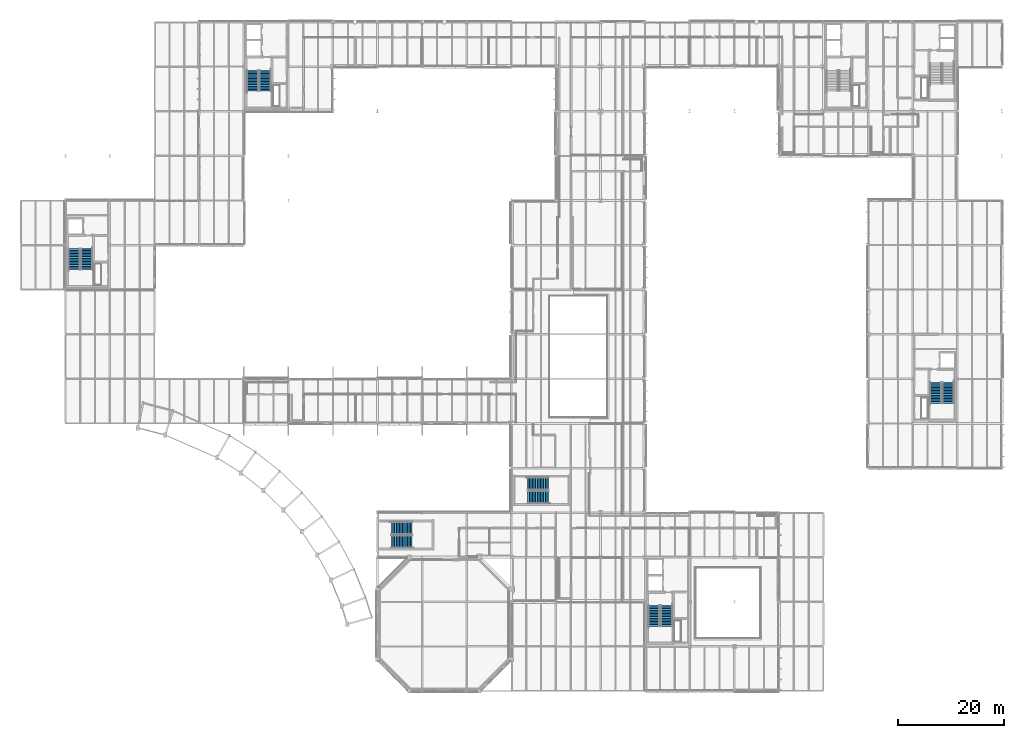
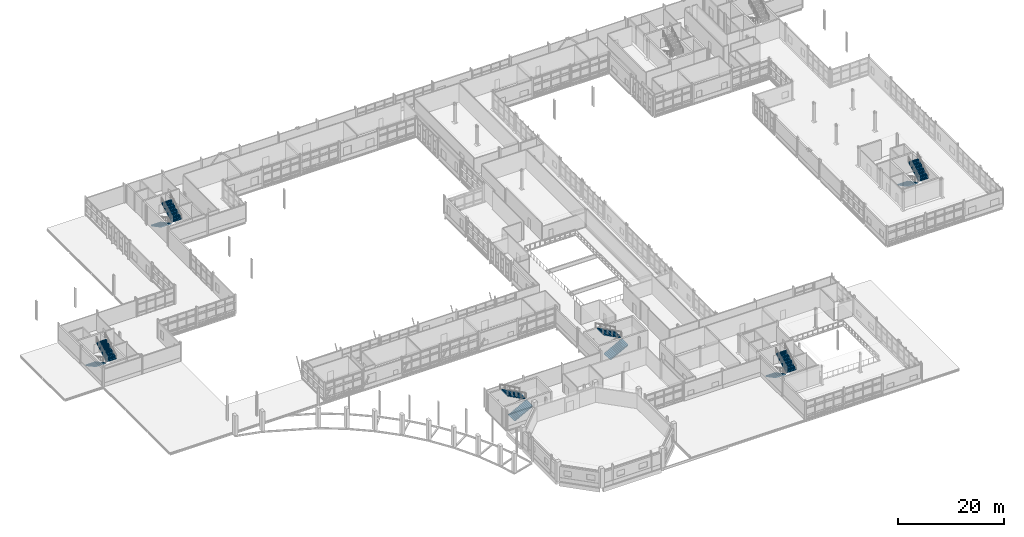
# One storey, part 105 of 129: 12 stair flights, 6 elements without a shape of their own.
"""IFC4 building model written with IfcOpenShell, lengths in metres."""

from ifc_helpers import new_model, si_unit, direction, frame, origin, place, context, subcontext, project, spatial, polyline, outline, extrude, material, type_object, element, aggregate, save


model = new_model("IFC4")

# Units and contexts
model_context = context("Model", 3, precision=1e-05, world=origin(), true_north=direction((0.0, 1.0)))
body_context = subcontext(model_context, "Body", "Model", "MODEL_VIEW")
ifc_project = project(units=[si_unit("LENGTHUNIT", "METRE"), si_unit("AREAUNIT", "SQUARE_METRE"), si_unit("VOLUMEUNIT", "CUBIC_METRE"), si_unit("PLANEANGLEUNIT", "RADIAN"), si_unit("MASSUNIT", "GRAM", prefix="KILO")], contexts=[model_context])

# Site, building, storey
site_placement = place(None, origin())
site = spatial("IfcSite", under=ifc_project, at=site_placement, CompositionType="ELEMENT")
building_placement = place(site_placement, origin())
building = spatial("IfcBuilding", under=site, at=building_placement, Name="Mersafa Astral City Hall", CompositionType="ELEMENT")
storey_placement = place(building_placement, frame((0.0, 0.0, 5.39990234375)))
storey = spatial("IfcBuildingStorey", under=building, at=storey_placement, Name="L01", CompositionType="ELEMENT", Elevation=5.39990234375)

# Stair, stair flights
ifc_material = material(Name="Concrete C40/50", Category="concrete")
stair_type = type_object("IfcStairType", Name="STAIR", PredefinedType="HALF_TURN_STAIR", material=ifc_material)
stair_1_placement = place(storey_placement, origin())
stair_1 = element("IfcStair", 1, at=stair_1_placement, inside=storey, type_object=stair_type, Name="L01 Protected Exit Stair ST3", PredefinedType="HALF_TURN_STAIR")
stair_flight_type = type_object("IfcStairFlightType", Name="STAIR-FLIGHT", PredefinedType="STRAIGHT", material=ifc_material)
stair_flight_1_placement = place(storey_placement, frame((43.679931640625, 116.89990234375, 0.0), z_axis=(0.0, 0.0, 1.0), x_axis=(0.0, -1.0, 0.0)))
stair_flight_1 = element("IfcStairFlight", 2, at=stair_flight_1_placement, type_object=stair_flight_type, Name="ST3 flight 1", NumberOfRisers=14, NumberOfTreads=13, PredefinedType="STRAIGHT", RiserHeight=0.160714286, TreadLength=0.3, context=body_context, shape_type="SweptSolid", body=[
    extrude(outline(polyline([(-0.008056640625, -0.02197265625), (-0.008056640625, -0.010498046875), (-0.008056640625, 0.000732421875), (-0.008056640625, 0.01220703125), (-0.008056640625, 0.023681640625), (-0.008056640625, 0.03515625), (-0.008056640625, 0.046630859375), (-0.008056640625, 0.057861328125), (-0.008056640625, 0.0693359375), (-0.008056640625, 0.080810546875), (-0.008056640625, 0.09228515625), (-0.008056640625, 0.103515625), (-0.008056640625, 0.114990234375), (-0.008056640625, 0.12646484375), (-0.008056640625, 0.137939453125), (-0.008056640625, 0.1494140625), (-0.008056640625, 0.16064453125), (0.300048828125, 0.16064453125), (0.300048828125, 0.321533203125), (0.60009765625, 0.321533203125), (0.60009765625, 0.482177734375), (0.89990234375, 0.482177734375), (0.89990234375, 0.642822265625), (1.199951171875, 0.642822265625), (1.199951171875, 0.803466796875), (1.5, 0.803466796875), (1.5, 0.96435546875), (1.800048828125, 0.96435546875), (1.800048828125, 1.125), (2.10009765625, 1.125), (2.10009765625, 1.28564453125), (2.39990234375, 1.28564453125), (2.39990234375, 1.446533203125), (2.699951171875, 1.446533203125), (2.699951171875, 1.607177734375), (3.0, 1.607177734375), (3.0, 1.767822265625), (3.300048828125, 1.767822265625), (3.300048828125, 1.928466796875), (3.60009765625, 1.928466796875), (3.60009765625, 2.08935546875), (3.89990234375, 2.08935546875), (3.89990234375, 2.25), (3.907958984375, 2.25), (3.907958984375, 2.229248046875), (3.907958984375, 2.208740234375), (3.907958984375, 2.18798828125), (3.907958984375, 2.167236328125), (3.907958984375, 2.146728515625), (3.907958984375, 2.1259765625), (3.907958984375, 2.105224609375), (3.907958984375, 2.084716796875), (3.907958984375, 2.06396484375), (3.907958984375, 2.043212890625), (3.907958984375, 2.022705078125), (3.907958984375, 2.001953125), (3.907958984375, 1.981201171875), (3.907958984375, 1.960693359375), (3.907958984375, 1.93994140625), (3.907958984375, 1.919189453125), (0.2763671875, -0.02197265625), (-0.008056640625, -0.02197265625)])), frame((0.0, 1.10009765625, 0.0), z_axis=(0.0, -1.0, 0.0), x_axis=(1.0, 0.0, 0.0)), (0.0, 0.0, 1.0), 2.199951171875),
])
stair_flight_2_placement = place(storey_placement, frame((46.0400390625, 113.0, 2.25), z_axis=(0.0, 0.0, 1.0), x_axis=(0.0, 1.0, 0.0)))
stair_flight_2 = element("IfcStairFlight", 3, at=stair_flight_2_placement, type_object=stair_flight_type, Name="ST3 flight 2", NumberOfRisers=14, NumberOfTreads=13, PredefinedType="STRAIGHT", RiserHeight=0.160714286, TreadLength=0.3, context=body_context, shape_type="SweptSolid", body=[
    extrude(outline(polyline([(-0.008056640625, -0.02197265625), (-0.008056640625, -0.010498046875), (-0.008056640625, 0.000732421875), (-0.008056640625, 0.01220703125), (-0.008056640625, 0.023681640625), (-0.008056640625, 0.03515625), (-0.008056640625, 0.046630859375), (-0.008056640625, 0.057861328125), (-0.008056640625, 0.0693359375), (-0.008056640625, 0.080810546875), (-0.008056640625, 0.09228515625), (-0.008056640625, 0.103515625), (-0.008056640625, 0.114990234375), (-0.008056640625, 0.12646484375), (-0.008056640625, 0.137939453125), (-0.008056640625, 0.1494140625), (-0.008056640625, 0.16064453125), (0.300048828125, 0.16064453125), (0.300048828125, 0.321533203125), (0.60009765625, 0.321533203125), (0.60009765625, 0.482177734375), (0.89990234375, 0.482177734375), (0.89990234375, 0.642822265625), (1.199951171875, 0.642822265625), (1.199951171875, 0.803466796875), (1.5, 0.803466796875), (1.5, 0.96435546875), (1.800048828125, 0.96435546875), (1.800048828125, 1.125), (2.10009765625, 1.125), (2.10009765625, 1.28564453125), (2.39990234375, 1.28564453125), (2.39990234375, 1.446533203125), (2.699951171875, 1.446533203125), (2.699951171875, 1.607177734375), (3.0, 1.607177734375), (3.0, 1.767822265625), (3.300048828125, 1.767822265625), (3.300048828125, 1.928466796875), (3.60009765625, 1.928466796875), (3.60009765625, 2.08935546875), (3.89990234375, 2.08935546875), (3.89990234375, 2.25), (3.907958984375, 2.25), (3.907958984375, 2.229248046875), (3.907958984375, 2.208740234375), (3.907958984375, 2.18798828125), (3.907958984375, 2.167236328125), (3.907958984375, 2.146728515625), (3.907958984375, 2.1259765625), (3.907958984375, 2.105224609375), (3.907958984375, 2.084716796875), (3.907958984375, 2.06396484375), (3.907958984375, 2.043212890625), (3.907958984375, 2.022705078125), (3.907958984375, 2.001953125), (3.907958984375, 1.981201171875), (3.907958984375, 1.960693359375), (3.907958984375, 1.93994140625), (3.907958984375, 1.919189453125), (0.2763671875, -0.02197265625), (-0.008056640625, -0.02197265625)])), frame((0.0, 1.10009765625, 0.0), z_axis=(0.0, -1.0, 0.0), x_axis=(1.0, 0.0, 0.0)), (0.0, 0.0, 1.0), 2.199951171875),
])
aggregate(stair_1, [stair_flight_1, stair_flight_2])

stair_2_placement = place(storey_placement, origin())
stair_2 = element("IfcStair", 4, at=stair_2_placement, inside=storey, type_object=stair_type, Name="L01 Protected Exit Stair ST4", PredefinedType="HALF_TURN_STAIR")
stair_flight_3_placement = place(storey_placement, frame((172.360107421875, 58.10009765625, 0.0), z_axis=(0.0, 0.0, 1.0), x_axis=(0.0, -1.0, 0.0)))
stair_flight_3 = element("IfcStairFlight", 5, at=stair_flight_3_placement, type_object=stair_flight_type, Name="ST4 flight 1", NumberOfRisers=14, NumberOfTreads=13, PredefinedType="STRAIGHT", RiserHeight=0.160714286, TreadLength=0.3, context=body_context, shape_type="SweptSolid", body=[
    extrude(outline(polyline([(-0.008056640625, -0.02197265625), (-0.008056640625, -0.010498046875), (-0.008056640625, 0.000732421875), (-0.008056640625, 0.01220703125), (-0.008056640625, 0.023681640625), (-0.008056640625, 0.03515625), (-0.008056640625, 0.046630859375), (-0.008056640625, 0.057861328125), (-0.008056640625, 0.0693359375), (-0.008056640625, 0.080810546875), (-0.008056640625, 0.09228515625), (-0.008056640625, 0.103515625), (-0.008056640625, 0.114990234375), (-0.008056640625, 0.12646484375), (-0.008056640625, 0.137939453125), (-0.008056640625, 0.1494140625), (-0.008056640625, 0.16064453125), (0.300048828125, 0.16064453125), (0.300048828125, 0.321533203125), (0.60009765625, 0.321533203125), (0.60009765625, 0.482177734375), (0.89990234375, 0.482177734375), (0.89990234375, 0.642822265625), (1.199951171875, 0.642822265625), (1.199951171875, 0.803466796875), (1.5, 0.803466796875), (1.5, 0.96435546875), (1.800048828125, 0.96435546875), (1.800048828125, 1.125), (2.10009765625, 1.125), (2.10009765625, 1.28564453125), (2.39990234375, 1.28564453125), (2.39990234375, 1.446533203125), (2.699951171875, 1.446533203125), (2.699951171875, 1.607177734375), (3.0, 1.607177734375), (3.0, 1.767822265625), (3.300048828125, 1.767822265625), (3.300048828125, 1.928466796875), (3.60009765625, 1.928466796875), (3.60009765625, 2.08935546875), (3.89990234375, 2.08935546875), (3.89990234375, 2.25), (3.907958984375, 2.25), (3.907958984375, 2.229248046875), (3.907958984375, 2.208740234375), (3.907958984375, 2.18798828125), (3.907958984375, 2.167236328125), (3.907958984375, 2.146728515625), (3.907958984375, 2.1259765625), (3.907958984375, 2.105224609375), (3.907958984375, 2.084716796875), (3.907958984375, 2.06396484375), (3.907958984375, 2.043212890625), (3.907958984375, 2.022705078125), (3.907958984375, 2.001953125), (3.907958984375, 1.981201171875), (3.907958984375, 1.960693359375), (3.907958984375, 1.93994140625), (3.907958984375, 1.919189453125), (0.2763671875, -0.02197265625), (-0.008056640625, -0.02197265625)])), frame((0.0, 1.10009765625, 0.0), z_axis=(0.0, -1.0, 0.0), x_axis=(1.0, 0.0, 0.0)), (0.0, 0.0, 1.0), 2.199951171875),
])
stair_flight_4_placement = place(storey_placement, frame((174.719970703125, 54.199951171875, 2.25), z_axis=(0.0, 0.0, 1.0), x_axis=(0.0, 1.0, 0.0)))
stair_flight_4 = element("IfcStairFlight", 6, at=stair_flight_4_placement, type_object=stair_flight_type, Name="ST4 flight 2", NumberOfRisers=14, NumberOfTreads=13, PredefinedType="STRAIGHT", RiserHeight=0.160714286, TreadLength=0.3, context=body_context, shape_type="SweptSolid", body=[
    extrude(outline(polyline([(-0.008056640625, -0.02197265625), (-0.008056640625, -0.010498046875), (-0.008056640625, 0.000732421875), (-0.008056640625, 0.01220703125), (-0.008056640625, 0.023681640625), (-0.008056640625, 0.03515625), (-0.008056640625, 0.046630859375), (-0.008056640625, 0.057861328125), (-0.008056640625, 0.0693359375), (-0.008056640625, 0.080810546875), (-0.008056640625, 0.09228515625), (-0.008056640625, 0.103515625), (-0.008056640625, 0.114990234375), (-0.008056640625, 0.12646484375), (-0.008056640625, 0.137939453125), (-0.008056640625, 0.1494140625), (-0.008056640625, 0.16064453125), (0.300048828125, 0.16064453125), (0.300048828125, 0.321533203125), (0.60009765625, 0.321533203125), (0.60009765625, 0.482177734375), (0.89990234375, 0.482177734375), (0.89990234375, 0.642822265625), (1.199951171875, 0.642822265625), (1.199951171875, 0.803466796875), (1.5, 0.803466796875), (1.5, 0.96435546875), (1.800048828125, 0.96435546875), (1.800048828125, 1.125), (2.10009765625, 1.125), (2.10009765625, 1.28564453125), (2.39990234375, 1.28564453125), (2.39990234375, 1.446533203125), (2.699951171875, 1.446533203125), (2.699951171875, 1.607177734375), (3.0, 1.607177734375), (3.0, 1.767822265625), (3.300048828125, 1.767822265625), (3.300048828125, 1.928466796875), (3.60009765625, 1.928466796875), (3.60009765625, 2.08935546875), (3.89990234375, 2.08935546875), (3.89990234375, 2.25), (3.907958984375, 2.25), (3.907958984375, 2.229248046875), (3.907958984375, 2.208740234375), (3.907958984375, 2.18798828125), (3.907958984375, 2.167236328125), (3.907958984375, 2.146728515625), (3.907958984375, 2.1259765625), (3.907958984375, 2.105224609375), (3.907958984375, 2.084716796875), (3.907958984375, 2.06396484375), (3.907958984375, 2.043212890625), (3.907958984375, 2.022705078125), (3.907958984375, 2.001953125), (3.907958984375, 1.981201171875), (3.907958984375, 1.960693359375), (3.907958984375, 1.93994140625), (3.907958984375, 1.919189453125), (0.2763671875, -0.02197265625), (-0.008056640625, -0.02197265625)])), frame((0.0, 1.10009765625, 0.0), z_axis=(0.0, -1.0, 0.0), x_axis=(1.0, 0.0, 0.0)), (0.0, 0.0, 1.0), 2.199951171875),
])
aggregate(stair_2, [stair_flight_3, stair_flight_4])

stair_3_placement = place(storey_placement, origin())
stair_3 = element("IfcStair", 7, at=stair_3_placement, inside=storey, type_object=stair_type, Name="L01 Protected Exit Stair ST5", PredefinedType="HALF_TURN_STAIR")
stair_flight_5_placement = place(storey_placement, frame((119.280029296875, 16.10009765625, 0.0), z_axis=(0.0, 0.0, 1.0), x_axis=(0.0, -1.0, 0.0)))
stair_flight_5 = element("IfcStairFlight", 8, at=stair_flight_5_placement, type_object=stair_flight_type, Name="ST5 flight 1", NumberOfRisers=14, NumberOfTreads=13, PredefinedType="STRAIGHT", RiserHeight=0.160714286, TreadLength=0.3, context=body_context, shape_type="SweptSolid", body=[
    extrude(outline(polyline([(-0.008056640625, -0.02197265625), (-0.008056640625, -0.010498046875), (-0.008056640625, 0.000732421875), (-0.008056640625, 0.01220703125), (-0.008056640625, 0.023681640625), (-0.008056640625, 0.03515625), (-0.008056640625, 0.046630859375), (-0.008056640625, 0.057861328125), (-0.008056640625, 0.0693359375), (-0.008056640625, 0.080810546875), (-0.008056640625, 0.09228515625), (-0.008056640625, 0.103515625), (-0.008056640625, 0.114990234375), (-0.008056640625, 0.12646484375), (-0.008056640625, 0.137939453125), (-0.008056640625, 0.1494140625), (-0.008056640625, 0.16064453125), (0.300048828125, 0.16064453125), (0.300048828125, 0.321533203125), (0.60009765625, 0.321533203125), (0.60009765625, 0.482177734375), (0.89990234375, 0.482177734375), (0.89990234375, 0.642822265625), (1.199951171875, 0.642822265625), (1.199951171875, 0.803466796875), (1.5, 0.803466796875), (1.5, 0.96435546875), (1.800048828125, 0.96435546875), (1.800048828125, 1.125), (2.10009765625, 1.125), (2.10009765625, 1.28564453125), (2.39990234375, 1.28564453125), (2.39990234375, 1.446533203125), (2.699951171875, 1.446533203125), (2.699951171875, 1.607177734375), (3.0, 1.607177734375), (3.0, 1.767822265625), (3.300048828125, 1.767822265625), (3.300048828125, 1.928466796875), (3.60009765625, 1.928466796875), (3.60009765625, 2.08935546875), (3.89990234375, 2.08935546875), (3.89990234375, 2.25), (3.907958984375, 2.25), (3.907958984375, 2.229248046875), (3.907958984375, 2.208740234375), (3.907958984375, 2.18798828125), (3.907958984375, 2.167236328125), (3.907958984375, 2.146728515625), (3.907958984375, 2.1259765625), (3.907958984375, 2.105224609375), (3.907958984375, 2.084716796875), (3.907958984375, 2.06396484375), (3.907958984375, 2.043212890625), (3.907958984375, 2.022705078125), (3.907958984375, 2.001953125), (3.907958984375, 1.981201171875), (3.907958984375, 1.960693359375), (3.907958984375, 1.93994140625), (3.907958984375, 1.919189453125), (0.2763671875, -0.02197265625), (-0.008056640625, -0.02197265625)])), frame((0.0, 1.10009765625, 0.0), z_axis=(0.0, -1.0, 0.0), x_axis=(1.0, 0.0, 0.0)), (0.0, 0.0, 1.0), 2.199951171875),
])
stair_flight_6_placement = place(storey_placement, frame((121.639892578125, 12.199951171875, 2.25), z_axis=(0.0, 0.0, 1.0), x_axis=(0.0, 1.0, 0.0)))
stair_flight_6 = element("IfcStairFlight", 9, at=stair_flight_6_placement, type_object=stair_flight_type, Name="ST5 flight 2", NumberOfRisers=14, NumberOfTreads=13, PredefinedType="STRAIGHT", RiserHeight=0.160714286, TreadLength=0.3, context=body_context, shape_type="SweptSolid", body=[
    extrude(outline(polyline([(-0.008056640625, -0.02197265625), (-0.008056640625, -0.010498046875), (-0.008056640625, 0.000732421875), (-0.008056640625, 0.01220703125), (-0.008056640625, 0.023681640625), (-0.008056640625, 0.03515625), (-0.008056640625, 0.046630859375), (-0.008056640625, 0.057861328125), (-0.008056640625, 0.0693359375), (-0.008056640625, 0.080810546875), (-0.008056640625, 0.09228515625), (-0.008056640625, 0.103515625), (-0.008056640625, 0.114990234375), (-0.008056640625, 0.12646484375), (-0.008056640625, 0.137939453125), (-0.008056640625, 0.1494140625), (-0.008056640625, 0.16064453125), (0.300048828125, 0.16064453125), (0.300048828125, 0.321533203125), (0.60009765625, 0.321533203125), (0.60009765625, 0.482177734375), (0.89990234375, 0.482177734375), (0.89990234375, 0.642822265625), (1.199951171875, 0.642822265625), (1.199951171875, 0.803466796875), (1.5, 0.803466796875), (1.5, 0.96435546875), (1.800048828125, 0.96435546875), (1.800048828125, 1.125), (2.10009765625, 1.125), (2.10009765625, 1.28564453125), (2.39990234375, 1.28564453125), (2.39990234375, 1.446533203125), (2.699951171875, 1.446533203125), (2.699951171875, 1.607177734375), (3.0, 1.607177734375), (3.0, 1.767822265625), (3.300048828125, 1.767822265625), (3.300048828125, 1.928466796875), (3.60009765625, 1.928466796875), (3.60009765625, 2.08935546875), (3.89990234375, 2.08935546875), (3.89990234375, 2.25), (3.907958984375, 2.25), (3.907958984375, 2.229248046875), (3.907958984375, 2.208740234375), (3.907958984375, 2.18798828125), (3.907958984375, 2.167236328125), (3.907958984375, 2.146728515625), (3.907958984375, 2.1259765625), (3.907958984375, 2.105224609375), (3.907958984375, 2.084716796875), (3.907958984375, 2.06396484375), (3.907958984375, 2.043212890625), (3.907958984375, 2.022705078125), (3.907958984375, 2.001953125), (3.907958984375, 1.981201171875), (3.907958984375, 1.960693359375), (3.907958984375, 1.93994140625), (3.907958984375, 1.919189453125), (0.2763671875, -0.02197265625), (-0.008056640625, -0.02197265625)])), frame((0.0, 1.10009765625, 0.0), z_axis=(0.0, -1.0, 0.0), x_axis=(1.0, 0.0, 0.0)), (0.0, 0.0, 1.0), 2.199951171875),
])
aggregate(stair_3, [stair_flight_5, stair_flight_6])

stair_4_placement = place(storey_placement, origin())
stair_4 = element("IfcStair", 10, at=stair_4_placement, inside=storey, type_object=stair_type, Name="L01 Protected Exit Stair ST6", PredefinedType="HALF_TURN_STAIR")
stair_flight_7_placement = place(storey_placement, frame((10.080078125, 83.300048828125, 0.0), z_axis=(0.0, 0.0, 1.0), x_axis=(0.0, -1.0, 0.0)))
stair_flight_7 = element("IfcStairFlight", 11, at=stair_flight_7_placement, type_object=stair_flight_type, Name="ST6 flight 1", NumberOfRisers=14, NumberOfTreads=13, PredefinedType="STRAIGHT", RiserHeight=0.160714286, TreadLength=0.3, context=body_context, shape_type="SweptSolid", body=[
    extrude(outline(polyline([(-0.008056640625, -0.02197265625), (-0.008056640625, -0.010498046875), (-0.008056640625, 0.000732421875), (-0.008056640625, 0.01220703125), (-0.008056640625, 0.023681640625), (-0.008056640625, 0.03515625), (-0.008056640625, 0.046630859375), (-0.008056640625, 0.057861328125), (-0.008056640625, 0.0693359375), (-0.008056640625, 0.080810546875), (-0.008056640625, 0.09228515625), (-0.008056640625, 0.103515625), (-0.008056640625, 0.114990234375), (-0.008056640625, 0.12646484375), (-0.008056640625, 0.137939453125), (-0.008056640625, 0.1494140625), (-0.008056640625, 0.16064453125), (0.300048828125, 0.16064453125), (0.300048828125, 0.321533203125), (0.60009765625, 0.321533203125), (0.60009765625, 0.482177734375), (0.89990234375, 0.482177734375), (0.89990234375, 0.642822265625), (1.199951171875, 0.642822265625), (1.199951171875, 0.803466796875), (1.5, 0.803466796875), (1.5, 0.96435546875), (1.800048828125, 0.96435546875), (1.800048828125, 1.125), (2.10009765625, 1.125), (2.10009765625, 1.28564453125), (2.39990234375, 1.28564453125), (2.39990234375, 1.446533203125), (2.699951171875, 1.446533203125), (2.699951171875, 1.607177734375), (3.0, 1.607177734375), (3.0, 1.767822265625), (3.300048828125, 1.767822265625), (3.300048828125, 1.928466796875), (3.60009765625, 1.928466796875), (3.60009765625, 2.08935546875), (3.89990234375, 2.08935546875), (3.89990234375, 2.25), (3.907958984375, 2.25), (3.907958984375, 2.229248046875), (3.907958984375, 2.208740234375), (3.907958984375, 2.18798828125), (3.907958984375, 2.167236328125), (3.907958984375, 2.146728515625), (3.907958984375, 2.1259765625), (3.907958984375, 2.105224609375), (3.907958984375, 2.084716796875), (3.907958984375, 2.06396484375), (3.907958984375, 2.043212890625), (3.907958984375, 2.022705078125), (3.907958984375, 2.001953125), (3.907958984375, 1.981201171875), (3.907958984375, 1.960693359375), (3.907958984375, 1.93994140625), (3.907958984375, 1.919189453125), (0.2763671875, -0.02197265625), (-0.008056640625, -0.02197265625)])), frame((0.0, 1.10009765625, 0.0), z_axis=(0.0, -1.0, 0.0), x_axis=(1.0, 0.0, 0.0)), (0.0, 0.0, 1.0), 2.199951171875),
])
stair_flight_8_placement = place(storey_placement, frame((12.43994140625, 79.39990234375, 2.25), z_axis=(0.0, 0.0, 1.0), x_axis=(0.0, 1.0, 0.0)))
stair_flight_8 = element("IfcStairFlight", 12, at=stair_flight_8_placement, type_object=stair_flight_type, Name="ST6 flight 2", NumberOfRisers=14, NumberOfTreads=13, PredefinedType="STRAIGHT", RiserHeight=0.160714286, TreadLength=0.3, context=body_context, shape_type="SweptSolid", body=[
    extrude(outline(polyline([(-0.008056640625, -0.02197265625), (-0.008056640625, -0.010498046875), (-0.008056640625, 0.000732421875), (-0.008056640625, 0.01220703125), (-0.008056640625, 0.023681640625), (-0.008056640625, 0.03515625), (-0.008056640625, 0.046630859375), (-0.008056640625, 0.057861328125), (-0.008056640625, 0.0693359375), (-0.008056640625, 0.080810546875), (-0.008056640625, 0.09228515625), (-0.008056640625, 0.103515625), (-0.008056640625, 0.114990234375), (-0.008056640625, 0.12646484375), (-0.008056640625, 0.137939453125), (-0.008056640625, 0.1494140625), (-0.008056640625, 0.16064453125), (0.300048828125, 0.16064453125), (0.300048828125, 0.321533203125), (0.60009765625, 0.321533203125), (0.60009765625, 0.482177734375), (0.89990234375, 0.482177734375), (0.89990234375, 0.642822265625), (1.199951171875, 0.642822265625), (1.199951171875, 0.803466796875), (1.5, 0.803466796875), (1.5, 0.96435546875), (1.800048828125, 0.96435546875), (1.800048828125, 1.125), (2.10009765625, 1.125), (2.10009765625, 1.28564453125), (2.39990234375, 1.28564453125), (2.39990234375, 1.446533203125), (2.699951171875, 1.446533203125), (2.699951171875, 1.607177734375), (3.0, 1.607177734375), (3.0, 1.767822265625), (3.300048828125, 1.767822265625), (3.300048828125, 1.928466796875), (3.60009765625, 1.928466796875), (3.60009765625, 2.08935546875), (3.89990234375, 2.08935546875), (3.89990234375, 2.25), (3.907958984375, 2.25), (3.907958984375, 2.229248046875), (3.907958984375, 2.208740234375), (3.907958984375, 2.18798828125), (3.907958984375, 2.167236328125), (3.907958984375, 2.146728515625), (3.907958984375, 2.1259765625), (3.907958984375, 2.105224609375), (3.907958984375, 2.084716796875), (3.907958984375, 2.06396484375), (3.907958984375, 2.043212890625), (3.907958984375, 2.022705078125), (3.907958984375, 2.001953125), (3.907958984375, 1.981201171875), (3.907958984375, 1.960693359375), (3.907958984375, 1.93994140625), (3.907958984375, 1.919189453125), (0.2763671875, -0.02197265625), (-0.008056640625, -0.02197265625)])), frame((0.0, 1.10009765625, 0.0), z_axis=(0.0, -1.0, 0.0), x_axis=(1.0, 0.0, 0.0)), (0.0, 0.0, 1.0), 2.199951171875),
])
aggregate(stair_4, [stair_flight_7, stair_flight_8])

stair_5_placement = place(storey_placement, origin())
stair_5 = element("IfcStair", 13, at=stair_5_placement, inside=storey, type_object=stair_type, Name="L01 Assembly Protected Exit Stair ST7", PredefinedType="HALF_TURN_STAIR")
stair_flight_9_placement = place(storey_placement, frame((69.830078125, 28.1201171875, 0.0), z_axis=(0.0, 0.0, 1.0), x_axis=(1.0, 0.0, 0.0)))
stair_flight_9 = element("IfcStairFlight", 14, at=stair_flight_9_placement, type_object=stair_flight_type, Name="ST7 flight 1", NumberOfRisers=14, NumberOfTreads=13, PredefinedType="STRAIGHT", RiserHeight=0.160714286, TreadLength=0.3, context=body_context, shape_type="SweptSolid", body=[
    extrude(outline(polyline([(-0.008056640625, -0.02197265625), (-0.008056640625, -0.010498046875), (-0.008056640625, 0.000732421875), (-0.008056640625, 0.01220703125), (-0.008056640625, 0.023681640625), (-0.008056640625, 0.03515625), (-0.008056640625, 0.046630859375), (-0.008056640625, 0.057861328125), (-0.008056640625, 0.0693359375), (-0.008056640625, 0.080810546875), (-0.008056640625, 0.09228515625), (-0.008056640625, 0.103515625), (-0.008056640625, 0.114990234375), (-0.008056640625, 0.12646484375), (-0.008056640625, 0.137939453125), (-0.008056640625, 0.1494140625), (-0.008056640625, 0.16064453125), (0.300048828125, 0.16064453125), (0.300048828125, 0.321533203125), (0.60009765625, 0.321533203125), (0.60009765625, 0.482177734375), (0.89990234375, 0.482177734375), (0.89990234375, 0.642822265625), (1.199951171875, 0.642822265625), (1.199951171875, 0.803466796875), (1.5, 0.803466796875), (1.5, 0.96435546875), (1.800048828125, 0.96435546875), (1.800048828125, 1.125), (2.10009765625, 1.125), (2.10009765625, 1.28564453125), (2.39990234375, 1.28564453125), (2.39990234375, 1.446533203125), (2.699951171875, 1.446533203125), (2.699951171875, 1.607177734375), (3.0, 1.607177734375), (3.0, 1.767822265625), (3.300048828125, 1.767822265625), (3.300048828125, 1.928466796875), (3.60009765625, 1.928466796875), (3.60009765625, 2.08935546875), (3.89990234375, 2.08935546875), (3.89990234375, 2.25), (3.907958984375, 2.25), (3.907958984375, 2.229248046875), (3.907958984375, 2.208740234375), (3.907958984375, 2.18798828125), (3.907958984375, 2.167236328125), (3.907958984375, 2.146728515625), (3.907958984375, 2.1259765625), (3.907958984375, 2.105224609375), (3.907958984375, 2.084716796875), (3.907958984375, 2.06396484375), (3.907958984375, 2.043212890625), (3.907958984375, 2.022705078125), (3.907958984375, 2.001953125), (3.907958984375, 1.981201171875), (3.907958984375, 1.960693359375), (3.907958984375, 1.93994140625), (3.907958984375, 1.919189453125), (0.2763671875, -0.02197265625), (-0.008056640625, -0.02197265625)])), frame((0.0, 1.199951171875, 0.0), z_axis=(0.0, -1.0, 0.0), x_axis=(1.0, 0.0, 0.0)), (0.0, 0.0, 1.0), 2.39990234375),
])
stair_flight_10_placement = place(storey_placement, frame((73.72998046875, 30.679931640625, 2.25), z_axis=(0.0, 0.0, 1.0), x_axis=(-1.0, 0.0, 0.0)))
stair_flight_10 = element("IfcStairFlight", 15, at=stair_flight_10_placement, type_object=stair_flight_type, Name="ST7 flight 2", NumberOfRisers=14, NumberOfTreads=13, PredefinedType="STRAIGHT", RiserHeight=0.160714286, TreadLength=0.3, context=body_context, shape_type="SweptSolid", body=[
    extrude(outline(polyline([(-0.008056640625, -0.02197265625), (-0.008056640625, -0.010498046875), (-0.008056640625, 0.000732421875), (-0.008056640625, 0.01220703125), (-0.008056640625, 0.023681640625), (-0.008056640625, 0.03515625), (-0.008056640625, 0.046630859375), (-0.008056640625, 0.057861328125), (-0.008056640625, 0.0693359375), (-0.008056640625, 0.080810546875), (-0.008056640625, 0.09228515625), (-0.008056640625, 0.103515625), (-0.008056640625, 0.114990234375), (-0.008056640625, 0.12646484375), (-0.008056640625, 0.137939453125), (-0.008056640625, 0.1494140625), (-0.008056640625, 0.16064453125), (0.300048828125, 0.16064453125), (0.300048828125, 0.321533203125), (0.60009765625, 0.321533203125), (0.60009765625, 0.482177734375), (0.89990234375, 0.482177734375), (0.89990234375, 0.642822265625), (1.199951171875, 0.642822265625), (1.199951171875, 0.803466796875), (1.5, 0.803466796875), (1.5, 0.96435546875), (1.800048828125, 0.96435546875), (1.800048828125, 1.125), (2.10009765625, 1.125), (2.10009765625, 1.28564453125), (2.39990234375, 1.28564453125), (2.39990234375, 1.446533203125), (2.699951171875, 1.446533203125), (2.699951171875, 1.607177734375), (3.0, 1.607177734375), (3.0, 1.767822265625), (3.300048828125, 1.767822265625), (3.300048828125, 1.928466796875), (3.60009765625, 1.928466796875), (3.60009765625, 2.08935546875), (3.89990234375, 2.08935546875), (3.89990234375, 2.25), (3.907958984375, 2.25), (3.907958984375, 2.229248046875), (3.907958984375, 2.208740234375), (3.907958984375, 2.18798828125), (3.907958984375, 2.167236328125), (3.907958984375, 2.146728515625), (3.907958984375, 2.1259765625), (3.907958984375, 2.105224609375), (3.907958984375, 2.084716796875), (3.907958984375, 2.06396484375), (3.907958984375, 2.043212890625), (3.907958984375, 2.022705078125), (3.907958984375, 2.001953125), (3.907958984375, 1.981201171875), (3.907958984375, 1.960693359375), (3.907958984375, 1.93994140625), (3.907958984375, 1.919189453125), (0.2763671875, -0.02197265625), (-0.008056640625, -0.02197265625)])), frame((0.0, 1.199951171875, 0.0), z_axis=(0.0, -1.0, 0.0), x_axis=(1.0, 0.0, 0.0)), (0.0, 0.0, 1.0), 2.39990234375),
])
aggregate(stair_5, [stair_flight_9, stair_flight_10])

stair_6_placement = place(storey_placement, origin())
stair_6 = element("IfcStair", 16, at=stair_6_placement, inside=storey, type_object=stair_type, Name="L01 Assembly Protected Exit Stair ST8", PredefinedType="HALF_TURN_STAIR")
stair_flight_11_placement = place(storey_placement, frame((95.5, 36.52001953125, 0.0), z_axis=(0.0, 0.0, 1.0), x_axis=(1.0, 0.0, 0.0)))
stair_flight_11 = element("IfcStairFlight", 17, at=stair_flight_11_placement, type_object=stair_flight_type, Name="ST8 flight 1", NumberOfRisers=14, NumberOfTreads=13, PredefinedType="STRAIGHT", RiserHeight=0.160714286, TreadLength=0.3, context=body_context, shape_type="SweptSolid", body=[
    extrude(outline(polyline([(-0.008056640625, -0.02197265625), (-0.008056640625, -0.010498046875), (-0.008056640625, 0.000732421875), (-0.008056640625, 0.01220703125), (-0.008056640625, 0.023681640625), (-0.008056640625, 0.03515625), (-0.008056640625, 0.046630859375), (-0.008056640625, 0.057861328125), (-0.008056640625, 0.0693359375), (-0.008056640625, 0.080810546875), (-0.008056640625, 0.09228515625), (-0.008056640625, 0.103515625), (-0.008056640625, 0.114990234375), (-0.008056640625, 0.12646484375), (-0.008056640625, 0.137939453125), (-0.008056640625, 0.1494140625), (-0.008056640625, 0.16064453125), (0.300048828125, 0.16064453125), (0.300048828125, 0.321533203125), (0.60009765625, 0.321533203125), (0.60009765625, 0.482177734375), (0.89990234375, 0.482177734375), (0.89990234375, 0.642822265625), (1.199951171875, 0.642822265625), (1.199951171875, 0.803466796875), (1.5, 0.803466796875), (1.5, 0.96435546875), (1.800048828125, 0.96435546875), (1.800048828125, 1.125), (2.10009765625, 1.125), (2.10009765625, 1.28564453125), (2.39990234375, 1.28564453125), (2.39990234375, 1.446533203125), (2.699951171875, 1.446533203125), (2.699951171875, 1.607177734375), (3.0, 1.607177734375), (3.0, 1.767822265625), (3.300048828125, 1.767822265625), (3.300048828125, 1.928466796875), (3.60009765625, 1.928466796875), (3.60009765625, 2.08935546875), (3.89990234375, 2.08935546875), (3.89990234375, 2.25), (3.907958984375, 2.25), (3.907958984375, 2.229248046875), (3.907958984375, 2.208740234375), (3.907958984375, 2.18798828125), (3.907958984375, 2.167236328125), (3.907958984375, 2.146728515625), (3.907958984375, 2.1259765625), (3.907958984375, 2.105224609375), (3.907958984375, 2.084716796875), (3.907958984375, 2.06396484375), (3.907958984375, 2.043212890625), (3.907958984375, 2.022705078125), (3.907958984375, 2.001953125), (3.907958984375, 1.981201171875), (3.907958984375, 1.960693359375), (3.907958984375, 1.93994140625), (3.907958984375, 1.919189453125), (0.2763671875, -0.02197265625), (-0.008056640625, -0.02197265625)])), frame((0.0, 1.199951171875, 0.0), z_axis=(0.0, -1.0, 0.0), x_axis=(1.0, 0.0, 0.0)), (0.0, 0.0, 1.0), 2.39990234375),
])
stair_flight_12_placement = place(storey_placement, frame((99.39990234375, 39.080078125, 2.25), z_axis=(0.0, 0.0, 1.0), x_axis=(-1.0, 0.0, 0.0)))
stair_flight_12 = element("IfcStairFlight", 18, at=stair_flight_12_placement, type_object=stair_flight_type, Name="ST8 flight 2", NumberOfRisers=14, NumberOfTreads=13, PredefinedType="STRAIGHT", RiserHeight=0.160714286, TreadLength=0.3, context=body_context, shape_type="SweptSolid", body=[
    extrude(outline(polyline([(-0.008056640625, -0.02197265625), (-0.008056640625, -0.010498046875), (-0.008056640625, 0.000732421875), (-0.008056640625, 0.01220703125), (-0.008056640625, 0.023681640625), (-0.008056640625, 0.03515625), (-0.008056640625, 0.046630859375), (-0.008056640625, 0.057861328125), (-0.008056640625, 0.0693359375), (-0.008056640625, 0.080810546875), (-0.008056640625, 0.09228515625), (-0.008056640625, 0.103515625), (-0.008056640625, 0.114990234375), (-0.008056640625, 0.12646484375), (-0.008056640625, 0.137939453125), (-0.008056640625, 0.1494140625), (-0.008056640625, 0.16064453125), (0.300048828125, 0.16064453125), (0.300048828125, 0.321533203125), (0.60009765625, 0.321533203125), (0.60009765625, 0.482177734375), (0.89990234375, 0.482177734375), (0.89990234375, 0.642822265625), (1.199951171875, 0.642822265625), (1.199951171875, 0.803466796875), (1.5, 0.803466796875), (1.5, 0.96435546875), (1.800048828125, 0.96435546875), (1.800048828125, 1.125), (2.10009765625, 1.125), (2.10009765625, 1.28564453125), (2.39990234375, 1.28564453125), (2.39990234375, 1.446533203125), (2.699951171875, 1.446533203125), (2.699951171875, 1.607177734375), (3.0, 1.607177734375), (3.0, 1.767822265625), (3.300048828125, 1.767822265625), (3.300048828125, 1.928466796875), (3.60009765625, 1.928466796875), (3.60009765625, 2.08935546875), (3.89990234375, 2.08935546875), (3.89990234375, 2.25), (3.907958984375, 2.25), (3.907958984375, 2.229248046875), (3.907958984375, 2.208740234375), (3.907958984375, 2.18798828125), (3.907958984375, 2.167236328125), (3.907958984375, 2.146728515625), (3.907958984375, 2.1259765625), (3.907958984375, 2.105224609375), (3.907958984375, 2.084716796875), (3.907958984375, 2.06396484375), (3.907958984375, 2.043212890625), (3.907958984375, 2.022705078125), (3.907958984375, 2.001953125), (3.907958984375, 1.981201171875), (3.907958984375, 1.960693359375), (3.907958984375, 1.93994140625), (3.907958984375, 1.919189453125), (0.2763671875, -0.02197265625), (-0.008056640625, -0.02197265625)])), frame((0.0, 1.199951171875, 0.0), z_axis=(0.0, -1.0, 0.0), x_axis=(1.0, 0.0, 0.0)), (0.0, 0.0, 1.0), 2.39990234375),
])
aggregate(stair_6, [stair_flight_11, stair_flight_12])

save(model, "model.ifc")
